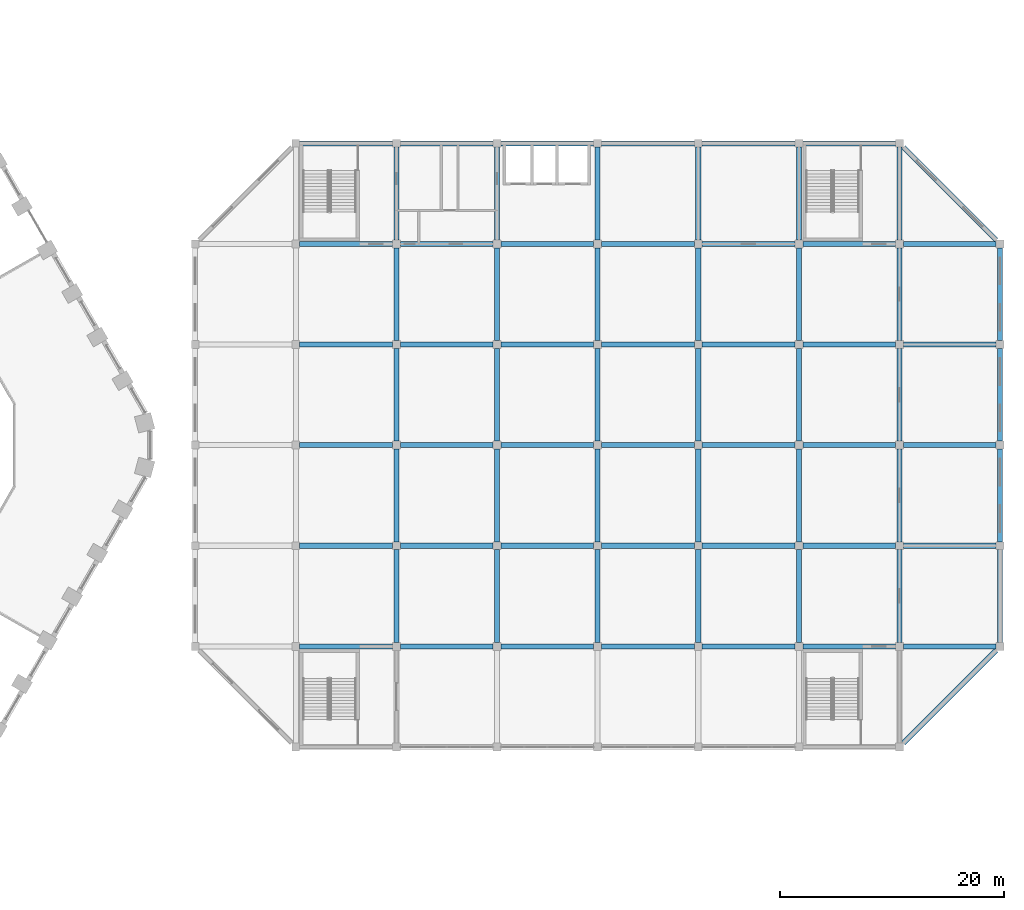
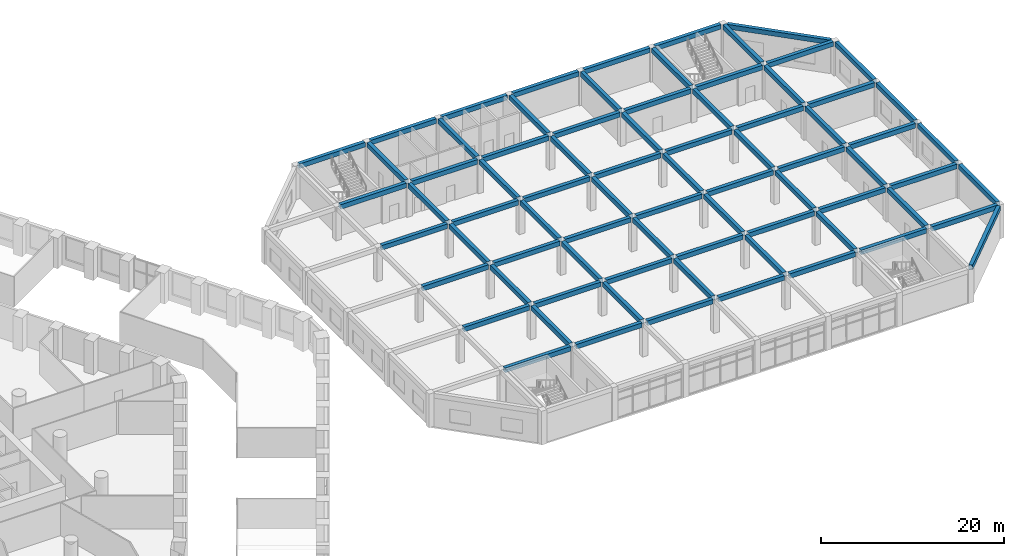
# One storey, part 12 of 42: 77 beams.
"""IFC4 building model written with IfcOpenShell, lengths in metres."""

from ifc_helpers import new_model, si_unit, direction, frame, origin, origin_2d, place, context, subcontext, project, spatial, rectangle, extrude, material, material_profile, profile_set, type_object, element, save


model = new_model("IFC4")

# Units and contexts
model_context = context("Model", 3, precision=1e-05, world=origin(), true_north=direction((0.0, 1.0)))
body_context = subcontext(model_context, "Body", "Model", "MODEL_VIEW")
ifc_project = project(units=[si_unit("LENGTHUNIT", "METRE"), si_unit("AREAUNIT", "SQUARE_METRE"), si_unit("VOLUMEUNIT", "CUBIC_METRE"), si_unit("PLANEANGLEUNIT", "RADIAN"), si_unit("MASSUNIT", "GRAM", prefix="KILO")], contexts=[model_context])

# Site, building, storey
site_placement = place(None, origin())
site = spatial("IfcSite", under=ifc_project, at=site_placement, CompositionType="ELEMENT")
building_placement = place(site_placement, origin())
building = spatial("IfcBuilding", under=site, at=building_placement, Name="Dhurran Vertical Campus", CompositionType="ELEMENT")
storey_placement = place(building_placement, frame((0.0, 0.0, 6.0)))
storey = spatial("IfcBuildingStorey", under=building, at=storey_placement, Name="L01", CompositionType="ELEMENT", Elevation=6.0)

# Beams
ifc_material = material(Name="Concrete C40/50", Category="concrete")
ifc_material_profile = material_profile(ifc_material, rectangle(XDim=0.449951171875, YDim=0.6201171875, at=origin_2d()), Name="hl-girder 450x620")
ifc_profile_set = profile_set([ifc_material_profile], Name="Concrete C40/50")
beam_type = type_object("IfcBeamType", Name="hl-girder 450x620", PredefinedType="BEAM", material=ifc_profile_set)
for number, where, z_axis, x_axis, name in (
    (1, (70.85009765625, -18.0, 4.2099609375), (1.0, 0.0, 0.0), (0.0, 1.0, 0.0), "Hall girder L01-014"),
    (2, (70.85009765625, -9.0, 4.2099609375), (1.0, 0.0, 0.0), (0.0, 1.0, 0.0), "Hall girder L01-016"),
    (3, (70.85009765625, 0.0, 4.2099609375), (1.0, 0.0, 0.0), (0.0, 1.0, 0.0), "Hall girder L01-018"),
    (4, (70.85009765625, 9.0, 4.2099609375), (1.0, 0.0, 0.0), (0.0, 1.0, 0.0), "Hall girder L01-020"),
    (5, (70.85009765625, 18.0, 4.2099609375), (1.0, 0.0, 0.0), (0.0, 1.0, 0.0), "Hall girder L01-022"),
    (6, (70.85009765625, 27.0, 4.2099609375), (1.0, 0.0, 0.0), (0.0, 1.0, 0.0), "Hall girder L01-024"),
    (7, (79.5, -17.64990234375, 4.2099609375), (0.0, 1.0, 0.0), (-1.0, 0.0, 0.0), "Hall girder L01-027"),
    (8, (79.85009765625, -18.0, 4.2099609375), (1.0, 0.0, 0.0), (0.0, 1.0, 0.0), "Hall girder L01-028"),
    (9, (79.5, -8.64990234375, 4.2099609375), (0.0, 1.0, 0.0), (-1.0, 0.0, 0.0), "Hall girder L01-029"),
    (10, (79.85009765625, -9.0, 4.2099609375), (1.0, 0.0, 0.0), (0.0, 1.0, 0.0), "Hall girder L01-030"),
    (11, (79.5, 0.35009765625, 4.2099609375), (0.0, 1.0, 0.0), (-1.0, 0.0, 0.0), "Hall girder L01-031"),
    (12, (79.85009765625, 0.0, 4.2099609375), (1.0, 0.0, 0.0), (0.0, 1.0, 0.0), "Hall girder L01-032"),
    (13, (79.5, 9.35009765625, 4.2099609375), (0.0, 1.0, 0.0), (-1.0, 0.0, 0.0), "Hall girder L01-033"),
    (14, (79.85009765625, 9.0, 4.2099609375), (1.0, 0.0, 0.0), (0.0, 1.0, 0.0), "Hall girder L01-034"),
    (15, (79.5, 18.35009765625, 4.2099609375), (0.0, 1.0, 0.0), (-1.0, 0.0, 0.0), "Hall girder L01-035"),
    (16, (79.85009765625, 18.0, 4.2099609375), (1.0, 0.0, 0.0), (0.0, 1.0, 0.0), "Hall girder L01-036"),
    (17, (79.85009765625, 27.0, 4.2099609375), (1.0, 0.0, 0.0), (0.0, 1.0, 0.0), "Hall girder L01-037"),
    (18, (88.5, -17.64990234375, 4.2099609375), (0.0, 1.0, 0.0), (-1.0, 0.0, 0.0), "Hall girder L01-040"),
    (19, (88.85009765625, -18.0, 4.2099609375), (1.0, 0.0, 0.0), (0.0, 1.0, 0.0), "Hall girder L01-041"),
    (20, (88.5, -8.64990234375, 4.2099609375), (0.0, 1.0, 0.0), (-1.0, 0.0, 0.0), "Hall girder L01-042"),
    (21, (88.85009765625, -9.0, 4.2099609375), (1.0, 0.0, 0.0), (0.0, 1.0, 0.0), "Hall girder L01-043"),
    (22, (88.5, 0.35009765625, 4.2099609375), (0.0, 1.0, 0.0), (-1.0, 0.0, 0.0), "Hall girder L01-044"),
    (23, (88.85009765625, 0.0, 4.2099609375), (1.0, 0.0, 0.0), (0.0, 1.0, 0.0), "Hall girder L01-045"),
    (24, (88.5, 9.35009765625, 4.2099609375), (0.0, 1.0, 0.0), (-1.0, 0.0, 0.0), "Hall girder L01-046"),
    (25, (88.85009765625, 9.0, 4.2099609375), (1.0, 0.0, 0.0), (0.0, 1.0, 0.0), "Hall girder L01-047"),
    (26, (88.5, 18.35009765625, 4.2099609375), (0.0, 1.0, 0.0), (-1.0, 0.0, 0.0), "Hall girder L01-048"),
    (27, (88.85009765625, 18.0, 4.2099609375), (1.0, 0.0, 0.0), (0.0, 1.0, 0.0), "Hall girder L01-049"),
    (28, (88.85009765625, 27.0, 4.2099609375), (1.0, 0.0, 0.0), (0.0, 1.0, 0.0), "Hall girder L01-050"),
    (29, (97.5, -17.64990234375, 4.2099609375), (0.0, 1.0, 0.0), (-1.0, 0.0, 0.0), "Hall girder L01-053"),
    (30, (97.85009765625, -18.0, 4.2099609375), (1.0, 0.0, 0.0), (0.0, 1.0, 0.0), "Hall girder L01-054"),
    (31, (97.5, -8.64990234375, 4.2099609375), (0.0, 1.0, 0.0), (-1.0, 0.0, 0.0), "Hall girder L01-055"),
    (32, (97.85009765625, -9.0, 4.2099609375), (1.0, 0.0, 0.0), (0.0, 1.0, 0.0), "Hall girder L01-056"),
    (33, (97.5, 0.35009765625, 4.2099609375), (0.0, 1.0, 0.0), (-1.0, 0.0, 0.0), "Hall girder L01-057"),
    (34, (97.85009765625, 0.0, 4.2099609375), (1.0, 0.0, 0.0), (0.0, 1.0, 0.0), "Hall girder L01-058"),
    (35, (97.5, 9.35009765625, 4.2099609375), (0.0, 1.0, 0.0), (-1.0, 0.0, 0.0), "Hall girder L01-059"),
    (36, (97.85009765625, 9.0, 4.2099609375), (1.0, 0.0, 0.0), (0.0, 1.0, 0.0), "Hall girder L01-060"),
    (37, (97.5, 18.35009765625, 4.2099609375), (0.0, 1.0, 0.0), (-1.0, 0.0, 0.0), "Hall girder L01-061"),
    (38, (97.85009765625, 18.0, 4.2099609375), (1.0, 0.0, 0.0), (0.0, 1.0, 0.0), "Hall girder L01-062"),
    (39, (97.85009765625, 27.0, 4.2099609375), (1.0, 0.0, 0.0), (0.0, 1.0, 0.0), "Hall girder L01-063"),
    (40, (106.5, -17.64990234375, 4.2099609375), (0.0, 1.0, 0.0), (-1.0, 0.0, 0.0), "Hall girder L01-066"),
    (41, (106.85009765625, -18.0, 4.2099609375), (1.0, 0.0, 0.0), (0.0, 1.0, 0.0), "Hall girder L01-067"),
    (42, (106.5, -8.64990234375, 4.2099609375), (0.0, 1.0, 0.0), (-1.0, 0.0, 0.0), "Hall girder L01-068"),
    (43, (106.85009765625, -9.0, 4.2099609375), (1.0, 0.0, 0.0), (0.0, 1.0, 0.0), "Hall girder L01-069"),
    (44, (106.5, 0.35009765625, 4.2099609375), (0.0, 1.0, 0.0), (-1.0, 0.0, 0.0), "Hall girder L01-070"),
    (45, (106.85009765625, 0.0, 4.2099609375), (1.0, 0.0, 0.0), (0.0, 1.0, 0.0), "Hall girder L01-071"),
    (46, (106.5, 9.35009765625, 4.2099609375), (0.0, 1.0, 0.0), (-1.0, 0.0, 0.0), "Hall girder L01-072"),
    (47, (106.85009765625, 9.0, 4.2099609375), (1.0, 0.0, 0.0), (0.0, 1.0, 0.0), "Hall girder L01-073"),
    (48, (106.5, 18.35009765625, 4.2099609375), (0.0, 1.0, 0.0), (-1.0, 0.0, 0.0), "Hall girder L01-074"),
    (49, (106.85009765625, 18.0, 4.2099609375), (1.0, 0.0, 0.0), (0.0, 1.0, 0.0), "Hall girder L01-075"),
    (50, (106.85009765625, 27.0, 4.2099609375), (1.0, 0.0, 0.0), (0.0, 1.0, 0.0), "Hall girder L01-076"),
    (51, (115.5, -17.64990234375, 4.2099609375), (0.0, 1.0, 0.0), (-1.0, 0.0, 0.0), "Hall girder L01-079"),
    (52, (115.85009765625, -18.0, 4.2099609375), (1.0, 0.0, 0.0), (0.0, 1.0, 0.0), "Hall girder L01-080"),
    (53, (115.5, -8.64990234375, 4.2099609375), (0.0, 1.0, 0.0), (-1.0, 0.0, 0.0), "Hall girder L01-081"),
    (54, (115.85009765625, -9.0, 4.2099609375), (1.0, 0.0, 0.0), (0.0, 1.0, 0.0), "Hall girder L01-082"),
    (55, (115.5, 0.35009765625, 4.2099609375), (0.0, 1.0, 0.0), (-1.0, 0.0, 0.0), "Hall girder L01-083"),
    (56, (115.85009765625, 0.0, 4.2099609375), (1.0, 0.0, 0.0), (0.0, 1.0, 0.0), "Hall girder L01-084"),
    (57, (115.5, 9.35009765625, 4.2099609375), (0.0, 1.0, 0.0), (-1.0, 0.0, 0.0), "Hall girder L01-085"),
    (58, (115.85009765625, 9.0, 4.2099609375), (1.0, 0.0, 0.0), (0.0, 1.0, 0.0), "Hall girder L01-086"),
    (59, (115.5, 18.35009765625, 4.2099609375), (0.0, 1.0, 0.0), (-1.0, 0.0, 0.0), "Hall girder L01-087"),
    (60, (115.85009765625, 18.0, 4.2099609375), (1.0, 0.0, 0.0), (0.0, 1.0, 0.0), "Hall girder L01-088"),
    (61, (115.85009765625, 27.0, 4.2099609375), (1.0, 0.0, 0.0), (0.0, 1.0, 0.0), "Hall girder L01-089"),
):
    element("IfcBeam", number, at=place(storey_placement, frame(where, z_axis=z_axis, x_axis=x_axis)), inside=storey, type_object=beam_type, Name=name, PredefinedType="BEAM", context=body_context, shape_type="SweptSolid", body=[
        extrude(rectangle(XDim=0.449951171875, YDim=0.6201171875, at=origin_2d()), origin(), (0.0, 0.0, 1.0), 8.2998046875),
    ])
beam_1_placement = place(storey_placement, frame((124.85009765625, -26.64990234375, 4.2099609375), z_axis=(0.707106781187, 0.707106781187, 0.0), x_axis=(-0.707106781187, 0.707106781187, 0.0)))
element("IfcBeam", 62, at=beam_1_placement, inside=storey, type_object=beam_type, Name="Hall girder L01-091", PredefinedType="BEAM", context=body_context, shape_type="SweptSolid", body=[
    extrude(rectangle(XDim=0.449951171875, YDim=0.6201171875, at=origin_2d()), origin(), (0.0, 0.0, 1.0), 11.73779296875),
])
for number, where, z_axis, x_axis, name in (
    (63, (124.5, -17.64990234375, 4.2099609375), (0.0, 1.0, 0.0), (-1.0, 0.0, 0.0), "Hall girder L01-092"),
    (64, (124.85009765625, -18.0, 4.2099609375), (1.0, 0.0, 0.0), (0.0, 1.0, 0.0), "Hall girder L01-093"),
    (65, (124.5, -8.64990234375, 4.2099609375), (0.0, 1.0, 0.0), (-1.0, 0.0, 0.0), "Hall girder L01-094"),
    (66, (124.85009765625, -9.0, 4.2099609375), (1.0, 0.0, 0.0), (0.0, 1.0, 0.0), "Hall girder L01-095"),
    (67, (124.5, 0.35009765625, 4.2099609375), (0.0, 1.0, 0.0), (-1.0, 0.0, 0.0), "Hall girder L01-096"),
    (68, (124.85009765625, 0.0, 4.2099609375), (1.0, 0.0, 0.0), (0.0, 1.0, 0.0), "Hall girder L01-097"),
    (69, (124.5, 9.35009765625, 4.2099609375), (0.0, 1.0, 0.0), (-1.0, 0.0, 0.0), "Hall girder L01-098"),
    (70, (124.85009765625, 9.0, 4.2099609375), (1.0, 0.0, 0.0), (0.0, 1.0, 0.0), "Hall girder L01-099"),
    (71, (124.5, 18.35009765625, 4.2099609375), (0.0, 1.0, 0.0), (-1.0, 0.0, 0.0), "Hall girder L01-100"),
    (72, (124.85009765625, 18.0, 4.2099609375), (1.0, 0.0, 0.0), (0.0, 1.0, 0.0), "Hall girder L01-101"),
    (73, (133.5, -17.64990234375, 4.2099609375), (0.0, 1.0, 0.0), (-1.0, 0.0, 0.0), "Hall girder L01-102"),
    (74, (133.5, -8.64990234375, 4.2099609375), (0.0, 1.0, 0.0), (-1.0, 0.0, 0.0), "Hall girder L01-103"),
    (75, (133.5, 0.35009765625, 4.2099609375), (0.0, 1.0, 0.0), (-1.0, 0.0, 0.0), "Hall girder L01-104"),
    (76, (133.5, 9.35009765625, 4.2099609375), (0.0, 1.0, 0.0), (-1.0, 0.0, 0.0), "Hall girder L01-105"),
):
    element("IfcBeam", number, at=place(storey_placement, frame(where, z_axis=z_axis, x_axis=x_axis)), inside=storey, type_object=beam_type, Name=name, PredefinedType="BEAM", context=body_context, shape_type="SweptSolid", body=[
        extrude(rectangle(XDim=0.449951171875, YDim=0.6201171875, at=origin_2d()), origin(), (0.0, 0.0, 1.0), 8.2998046875),
    ])
beam_2_placement = place(storey_placement, frame((133.14990234375, 18.35009765625, 4.2099609375), z_axis=(-0.707106781187, 0.707106781187, 0.0), x_axis=(-0.707106781187, -0.707106781187, 0.0)))
element("IfcBeam", 77, at=beam_2_placement, inside=storey, type_object=beam_type, Name="Hall girder L01-106", PredefinedType="BEAM", context=body_context, shape_type="SweptSolid", body=[
    extrude(rectangle(XDim=0.449951171875, YDim=0.6201171875, at=origin_2d()), origin(), (0.0, 0.0, 1.0), 11.73779296875),
])

save(model, "model.ifc")
